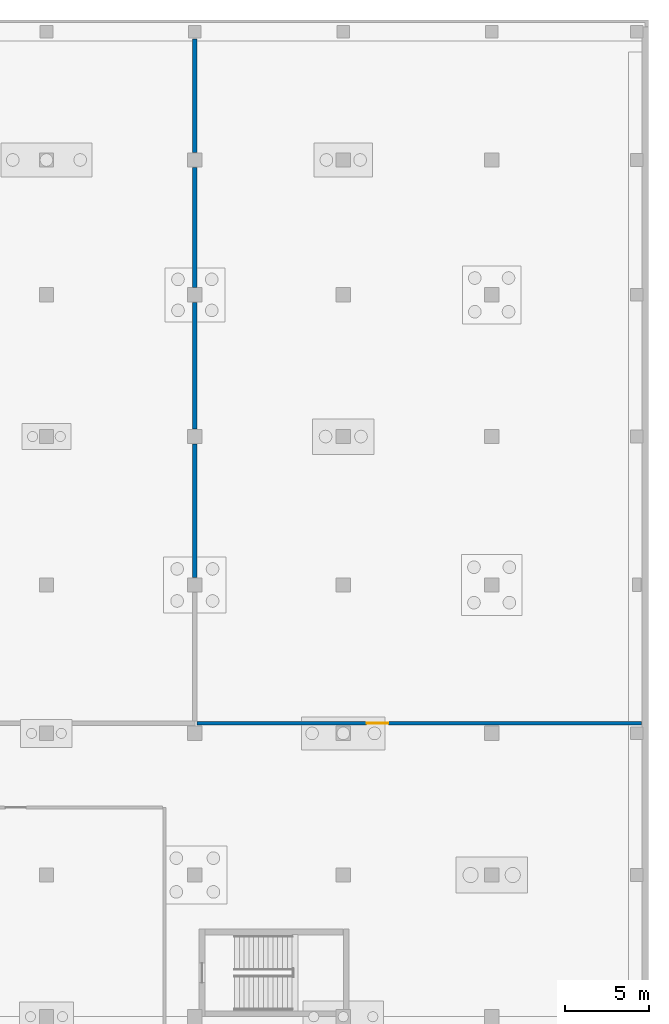
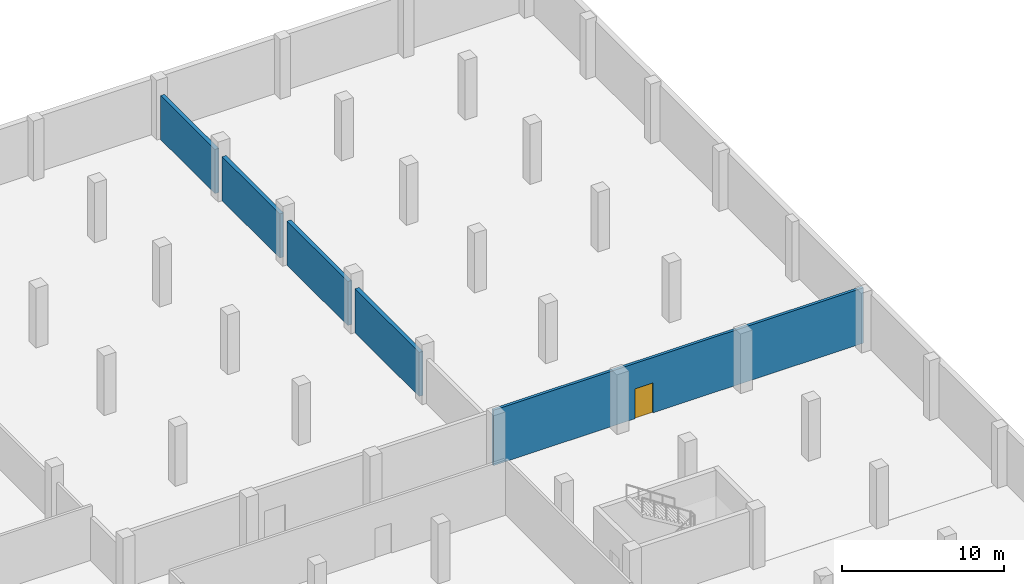
# One storey, part 25 of 29: 5 walls, 1 door, 1 opening.
"""IFC4 building model written with IfcOpenShell, lengths in metres."""

from ifc_helpers import new_model, si_unit, direction, frame, frame_2d, origin, place, context, subcontext, project, spatial, rectangle, extrude, material, layer, layer_set, type_object, element, fill, save


model = new_model("IFC4")

# Units and contexts
model_context = context("Model", 3, precision=1e-05, world=origin(), true_north=direction((0.0, 1.0)))
body_context = subcontext(model_context, "Body", "Model", "MODEL_VIEW")
ifc_project = project(units=[si_unit("LENGTHUNIT", "METRE"), si_unit("AREAUNIT", "SQUARE_METRE"), si_unit("VOLUMEUNIT", "CUBIC_METRE"), si_unit("PLANEANGLEUNIT", "RADIAN"), si_unit("MASSUNIT", "GRAM", prefix="KILO")], contexts=[model_context])

# Site, building, storey
site_placement = place(None, origin())
site = spatial("IfcSite", under=ifc_project, at=site_placement, CompositionType="ELEMENT")
building_placement = place(site_placement, origin())
building = spatial("IfcBuilding", under=site, at=building_placement, Name="Meriwether Solvik Hall", CompositionType="ELEMENT")
storey_placement = place(building_placement, frame((0.0, 0.0, -9.0)))
storey = spatial("IfcBuildingStorey", under=building, at=storey_placement, Name="B02", CompositionType="ELEMENT", Elevation=-9.0)

# Wall, opening, door
ifc_material_1 = material(Name="Fire-Rated Type X Gypsum Board", Category="gypsum")
ifc_layer_1 = layer(ifc_material_1, 0.199951171875)
ifc_layer_set_1 = layer_set([ifc_layer_1], Name="Fire-Rated Type X Gypsum Board")
wall_type_1 = type_object("IfcWallType", Name="WALL-FIRE-200", PredefinedType="STANDARD", material=ifc_layer_set_1)
wall_1_placement = place(storey_placement, frame((140.719970703125, 75.800048828125, 0.0), z_axis=(0.0, 0.0, 1.0), x_axis=(1.0, 0.0, 0.0)))
wall_1 = element("IfcWall", 1, at=wall_1_placement, inside=storey, type_object=wall_type_1, Name="B02 Interior Partition telecom_s", PredefinedType="STANDARD", context=body_context, shape_type="SweptSolid", body=[
    extrude(rectangle(XDim=26.360107421875, YDim=0.199951171875, at=frame_2d((13.18017578125, 0.0))), origin(), (0.0, 0.0, 1.0), 4.169921875),
])
opening_placement = place(wall_1_placement, frame((10.06201171875, 0.0, 0.0)))
opening = element("IfcOpeningElement", 2, at=opening_placement, cuts=wall_1, Name="Opening D-162", PredefinedType="OPENING", context=body_context, shape_type="SweptSolid", body=[
    extrude(rectangle(XDim=1.300048828125, YDim=2.25, at=frame_2d((0.64990234375, 1.125))), frame((0.0, 0.11181640625, 0.0), z_axis=(0.0, -1.0, 0.0), x_axis=(1.0, 0.0, 0.0)), (0.0, 0.0, 1.0), 0.223876953125),
])
ifc_material_2 = material(Name="Steel A36 Galvanised", Category="steel")
door_type = type_object("IfcDoorType", Name="DR-FD60-1300L", OperationType="SINGLE_SWING_LEFT", PredefinedType="DOOR", material=ifc_material_2)
door_placement = place(opening_placement, origin())
door = element("IfcDoor", 3, at=door_placement, inside=storey, type_object=door_type, Name="Primary Telecom and BMS Plant Vault Door", OperationType="SINGLE_SWING_LEFT", OverallHeight=2.25, OverallWidth=1.300048828125, PredefinedType="DOOR", context=body_context, shape_type="SweptSolid", body=[
    extrude(rectangle(XDim=1.300048828125, YDim=2.25, at=frame_2d((0.64990234375, 1.125))), frame((0.0, 0.02490234375, 0.0), z_axis=(0.0, -1.0, 0.0), x_axis=(1.0, 0.0, 0.0)), (0.0, 0.0, 1.0), 0.050048828125),
])
fill(opening, door)

# Walls
ifc_material_3 = material(Name="Concrete C35/45", Category="concrete")
ifc_layer_2 = layer(ifc_material_3, 0.280029296875)
ifc_layer_set_2 = layer_set([ifc_layer_2], Name="Concrete C35/45")
wall_type_2 = type_object("IfcWallType", Name="WALL-PLANT-280", PredefinedType="STANDARD", material=ifc_layer_set_2)
wall_2_placement = place(storey_placement, frame((140.60009765625, 84.43994140625, 0.0), z_axis=(0.0, 0.0, 1.0), x_axis=(0.0, 1.0, 0.0)))
element("IfcWall", 4, at=wall_2_placement, inside=storey, type_object=wall_type_2, Name="B02 Interior Partition tes_vlt_e_s2", PredefinedType="STANDARD", context=body_context, shape_type="SweptSolid", body=[
    extrude(rectangle(XDim=7.920166015625, YDim=0.280029296875, at=frame_2d((3.9599609375, 0.0))), origin(), (0.0, 0.0, 1.0), 3.320068359375),
])
wall_3_placement = place(storey_placement, frame((140.60009765625, 93.239990234375, 0.0), z_axis=(0.0, 0.0, 1.0), x_axis=(0.0, 1.0, 0.0)))
element("IfcWall", 5, at=wall_3_placement, inside=storey, type_object=wall_type_2, Name="B02 Interior Partition tes_vlt_e_s3", PredefinedType="STANDARD", context=body_context, shape_type="SweptSolid", body=[
    extrude(rectangle(XDim=7.52001953125, YDim=0.280029296875, at=frame_2d((3.760009765625, 0.0))), origin(), (0.0, 0.0, 1.0), 3.320068359375),
])
wall_4_placement = place(storey_placement, frame((140.60009765625, 101.639892578125, 0.0), z_axis=(0.0, 0.0, 1.0), x_axis=(0.0, 1.0, 0.0)))
element("IfcWall", 6, at=wall_4_placement, inside=storey, type_object=wall_type_2, Name="B02 Interior Partition tes_vlt_e_s4", PredefinedType="STANDARD", context=body_context, shape_type="SweptSolid", body=[
    extrude(rectangle(XDim=7.1201171875, YDim=0.280029296875, at=frame_2d((3.56005859375, 0.0))), origin(), (0.0, 0.0, 1.0), 3.320068359375),
])
wall_5_placement = place(storey_placement, frame((140.60009765625, 109.639892578125, 0.0), z_axis=(0.0, 0.0, 1.0), x_axis=(0.0, 1.0, 0.0)))
element("IfcWall", 7, at=wall_5_placement, inside=storey, type_object=wall_type_2, Name="B02 Interior Partition tes_vlt_e_s5", PredefinedType="STANDARD", context=body_context, shape_type="SweptSolid", body=[
    extrude(rectangle(XDim=6.72021484375, YDim=0.280029296875, at=frame_2d((3.360107421875, 0.0))), origin(), (0.0, 0.0, 1.0), 3.320068359375),
])

save(model, "model.ifc")
